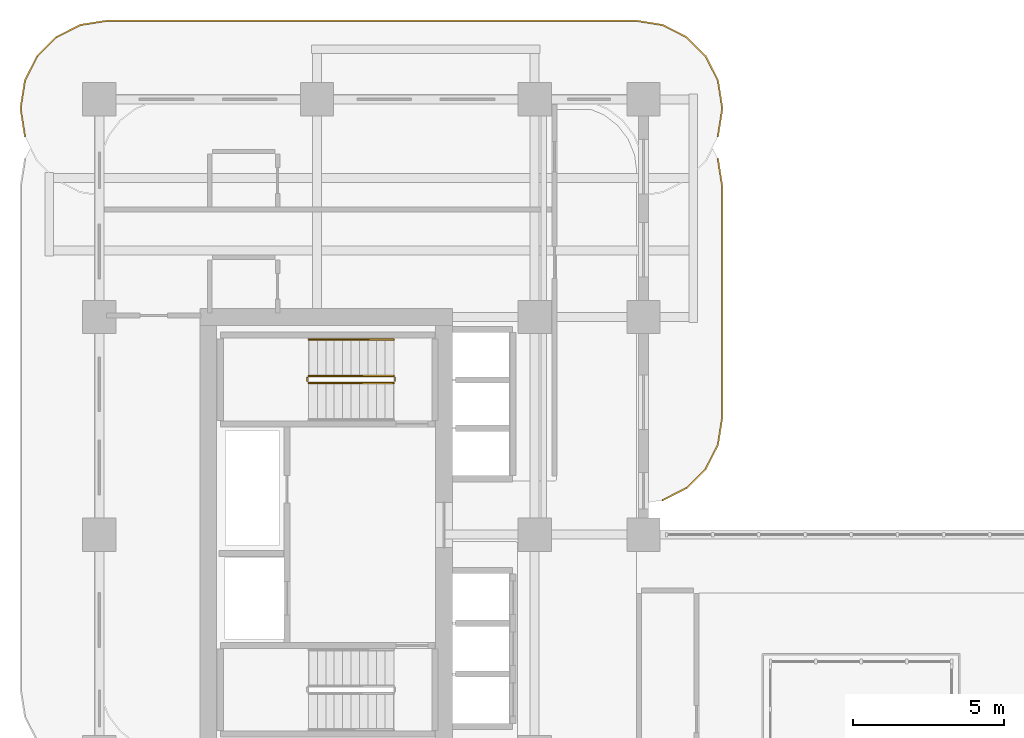
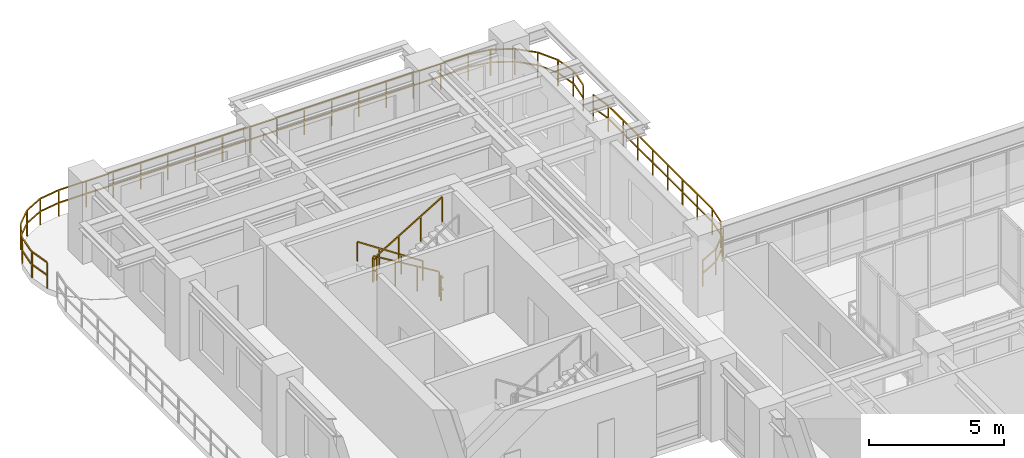
# One storey, part 22 of 22: 7 railings.
"""IFC4 building model written with IfcOpenShell, lengths in metres."""

from ifc_helpers import new_model, si_unit, derived_unit, direction, frame, origin, origin_2d, place, context, subcontext, project, spatial, rectangle, extrude, material, type_object, element, save


model = new_model("IFC4")

# Units and contexts
model_context = context("Model", 3, precision=1e-05, world=origin(), true_north=direction((0.0, 1.0)))
body_context = subcontext(model_context, "Body", "Model", "MODEL_VIEW")
ifc_project = project(units=[si_unit("LENGTHUNIT", "METRE"), si_unit("AREAUNIT", "SQUARE_METRE"), si_unit("VOLUMEUNIT", "CUBIC_METRE"), si_unit("PLANEANGLEUNIT", "RADIAN"), si_unit("MASSUNIT", "GRAM", prefix="KILO"), si_unit("THERMODYNAMICTEMPERATUREUNIT", "KELVIN"), si_unit("POWERUNIT", "WATT"), derived_unit("THERMALTRANSMITTANCEUNIT", [(si_unit("POWERUNIT", "WATT"), 1), (si_unit("AREAUNIT", "SQUARE_METRE"), -1), (si_unit("THERMODYNAMICTEMPERATUREUNIT", "KELVIN"), -1)])], contexts=[model_context])

# Site, building, storey
site_placement = place(None, origin())
site = spatial("IfcSite", under=ifc_project, at=site_placement, CompositionType="ELEMENT")
building_placement = place(site_placement, origin())
building = spatial("IfcBuilding", under=site, at=building_placement, Name="Zahravan Archway Hotel and Residences", CompositionType="ELEMENT")
storey_placement = place(building_placement, frame((0.0, 0.0, 91.60009765625)))
storey = spatial("IfcBuildingStorey", under=building, at=storey_placement, Name="L22", CompositionType="ELEMENT", Elevation=91.60009765625)

# Railings
ifc_material_1 = material(Name="Bronze & Laminated Glass Balustrade", Category="glass")
railing_type_1 = type_object("IfcRailingType", Name="RL-BAL-1200", PredefinedType="BALUSTRADE", material=ifc_material_1)
railing_1_placement = place(storey_placement, frame((-2.46044921875, 45.5693359375, 0.0)))
element("IfcRailing", 1, at=railing_1_placement, inside=storey, type_object=railing_type_1, Name="L22 Balustrade RL-SLB-BAL-L22-NB-1", PredefinedType="BALUSTRADE", context=body_context, shape_type="SweptSolid", body=[
    extrude(rectangle(XDim=0.048095703125, YDim=0.048095703125, at=origin_2d()), frame((0.0, 0.0, 1.17578125), z_axis=(-0.156623399917, 0.987658397726, 0.0), x_axis=(-0.987658397726, -0.156623399917, 0.0)), (0.0, 0.0, 1.0), 0.8916015625),
    extrude(rectangle(XDim=0.048095703125, YDim=0.048095703125, at=origin_2d()), frame((0.0, 0.0, 0.60009765625), z_axis=(-0.156623399917, 0.987658397726, 0.0), x_axis=(-0.987658397726, -0.156623399917, 0.0)), (0.0, 0.0, 1.0), 0.8916015625),
    extrude(rectangle(XDim=0.048095703125, YDim=0.048095703125, at=origin_2d()), frame((-0.1396484375, 0.880615234375, 1.17578125), z_axis=(0.0, 1.0, 0.0), x_axis=(-1.0, 0.0, 0.0)), (0.0, 0.0, 1.0), 0.10009765625),
    extrude(rectangle(XDim=0.048095703125, YDim=0.048095703125, at=origin_2d()), frame((-0.1396484375, 0.880615234375, 0.60009765625), z_axis=(0.0, 1.0, 0.0), x_axis=(-1.0, 0.0, 0.0)), (0.0, 0.0, 1.0), 0.10009765625),
    extrude(rectangle(XDim=0.048095703125, YDim=0.048095703125, at=origin_2d()), frame((-0.1396484375, 0.980712890625, 1.17578125), z_axis=(0.156623399917, 0.987658397726, 0.0), x_axis=(-0.987658397726, 0.156623399917, 0.0)), (0.0, 0.0, 1.0), 0.8916015625),
    extrude(rectangle(XDim=0.048095703125, YDim=0.048095703125, at=origin_2d()), frame((-0.1396484375, 0.980712890625, 0.60009765625), z_axis=(0.156623399917, 0.987658397726, 0.0), x_axis=(-0.987658397726, 0.156623399917, 0.0)), (0.0, 0.0, 1.0), 0.8916015625),
    extrude(rectangle(XDim=0.048095703125, YDim=0.048095703125, at=origin_2d()), frame((0.0, 1.861328125, 1.17578125), z_axis=(0.453991409995, 0.891006060389, 0.0), x_axis=(-0.891006060389, 0.453991409995, 0.0)), (0.0, 0.0, 1.0), 0.8916015625),
    extrude(rectangle(XDim=0.048095703125, YDim=0.048095703125, at=origin_2d()), frame((0.0, 1.861328125, 0.60009765625), z_axis=(0.453991409995, 0.891006060389, 0.0), x_axis=(-0.891006060389, 0.453991409995, 0.0)), (0.0, 0.0, 1.0), 0.8916015625),
    extrude(rectangle(XDim=0.048095703125, YDim=0.048095703125, at=origin_2d()), frame((0.40478515625, 2.65576171875, 1.17578125), z_axis=(0.706969864397, 0.70724367147, 0.0), x_axis=(-0.70724367147, 0.706969864397, 0.0)), (0.0, 0.0, 1.0), 0.8916015625),
    extrude(rectangle(XDim=0.048095703125, YDim=0.048095703125, at=origin_2d()), frame((0.40478515625, 2.65576171875, 0.60009765625), z_axis=(0.706969864397, 0.70724367147, 0.0), x_axis=(-0.70724367147, 0.706969864397, 0.0)), (0.0, 0.0, 1.0), 0.8916015625),
    extrude(rectangle(XDim=0.048095703125, YDim=0.048095703125, at=origin_2d()), frame((1.03515625, 3.286376953125, 1.17578125), z_axis=(0.891062476022, 0.45388067135, 0.0), x_axis=(-0.45388067135, 0.891062476022, 0.0)), (0.0, 0.0, 1.0), 0.891845703125),
    extrude(rectangle(XDim=0.048095703125, YDim=0.048095703125, at=origin_2d()), frame((1.03515625, 3.286376953125, 0.60009765625), z_axis=(0.891062476022, 0.45388067135, 0.0), x_axis=(-0.45388067135, 0.891062476022, 0.0)), (0.0, 0.0, 1.0), 0.891845703125),
    extrude(rectangle(XDim=0.048095703125, YDim=0.048095703125, at=origin_2d()), frame((1.829833984375, 3.691162109375, 1.17578125), z_axis=(0.987700720307, 0.156356282588, 0.0), x_axis=(-0.156356282588, 0.987700720307, 0.0)), (0.0, 0.0, 1.0), 0.8916015625),
    extrude(rectangle(XDim=0.048095703125, YDim=0.048095703125, at=origin_2d()), frame((1.829833984375, 3.691162109375, 0.60009765625), z_axis=(0.987700720307, 0.156356282588, 0.0), x_axis=(-0.156356282588, 0.987700720307, 0.0)), (0.0, 0.0, 1.0), 0.8916015625),
    extrude(rectangle(XDim=0.048095703125, YDim=0.048095703125, at=origin_2d()), frame((2.71044921875, 3.83056640625, 1.17578125), z_axis=(1.0, 0.0, 0.0), x_axis=(0.0, 1.0, 0.0)), (0.0, 0.0, 1.0), 17.5),
    extrude(rectangle(XDim=0.048095703125, YDim=0.048095703125, at=origin_2d()), frame((2.71044921875, 3.83056640625, 0.60009765625), z_axis=(1.0, 0.0, 0.0), x_axis=(0.0, 1.0, 0.0)), (0.0, 0.0, 1.0), 17.5),
    extrude(rectangle(XDim=0.048095703125, YDim=0.048095703125, at=origin_2d()), frame((20.21044921875, 3.83056640625, 1.17578125), z_axis=(0.987700720307, -0.156356282588, 0.0), x_axis=(0.156356282588, 0.987700720307, 0.0)), (0.0, 0.0, 1.0), 0.8916015625),
    extrude(rectangle(XDim=0.048095703125, YDim=0.048095703125, at=origin_2d()), frame((20.21044921875, 3.83056640625, 0.60009765625), z_axis=(0.987700720307, -0.156356282588, 0.0), x_axis=(0.156356282588, 0.987700720307, 0.0)), (0.0, 0.0, 1.0), 0.8916015625),
    extrude(rectangle(XDim=0.048095703125, YDim=0.048095703125, at=origin_2d()), frame((21.091064453125, 3.691162109375, 1.17578125), z_axis=(0.891062476022, -0.45388067135, 0.0), x_axis=(0.45388067135, 0.891062476022, 0.0)), (0.0, 0.0, 1.0), 0.891845703125),
    extrude(rectangle(XDim=0.048095703125, YDim=0.048095703125, at=origin_2d()), frame((21.091064453125, 3.691162109375, 0.60009765625), z_axis=(0.891062476022, -0.45388067135, 0.0), x_axis=(0.45388067135, 0.891062476022, 0.0)), (0.0, 0.0, 1.0), 0.891845703125),
    extrude(rectangle(XDim=0.048095703125, YDim=0.048095703125, at=origin_2d()), frame((21.8857421875, 3.286376953125, 1.17578125), z_axis=(0.706969864397, -0.70724367147, 0.0), x_axis=(0.70724367147, 0.706969864397, 0.0)), (0.0, 0.0, 1.0), 0.8916015625),
    extrude(rectangle(XDim=0.048095703125, YDim=0.048095703125, at=origin_2d()), frame((21.8857421875, 3.286376953125, 0.60009765625), z_axis=(0.706969864397, -0.70724367147, 0.0), x_axis=(0.70724367147, 0.706969864397, 0.0)), (0.0, 0.0, 1.0), 0.8916015625),
    extrude(rectangle(XDim=0.048095703125, YDim=0.048095703125, at=origin_2d()), frame((22.51611328125, 2.65576171875, 1.17578125), z_axis=(0.453991409995, -0.891006060389, 0.0), x_axis=(0.891006060389, 0.453991409995, 0.0)), (0.0, 0.0, 1.0), 0.8916015625),
    extrude(rectangle(XDim=0.048095703125, YDim=0.048095703125, at=origin_2d()), frame((22.51611328125, 2.65576171875, 0.60009765625), z_axis=(0.453991409995, -0.891006060389, 0.0), x_axis=(0.891006060389, 0.453991409995, 0.0)), (0.0, 0.0, 1.0), 0.8916015625),
    extrude(rectangle(XDim=0.048095703125, YDim=0.048095703125, at=origin_2d()), frame((22.9208984375, 1.861328125, 1.17578125), z_axis=(0.156623399917, -0.987658397726, 0.0), x_axis=(0.987658397726, 0.156623399917, 0.0)), (0.0, 0.0, 1.0), 0.8916015625),
    extrude(rectangle(XDim=0.048095703125, YDim=0.048095703125, at=origin_2d()), frame((22.9208984375, 1.861328125, 0.60009765625), z_axis=(0.156623399917, -0.987658397726, 0.0), x_axis=(0.987658397726, 0.156623399917, 0.0)), (0.0, 0.0, 1.0), 0.8916015625),
    extrude(rectangle(XDim=0.048095703125, YDim=0.048095703125, at=origin_2d()), frame((23.060546875, 0.980712890625, 1.17578125), z_axis=(0.0, -1.0, 0.0), x_axis=(1.0, 0.0, 0.0)), (0.0, 0.0, 1.0), 0.10009765625),
    extrude(rectangle(XDim=0.048095703125, YDim=0.048095703125, at=origin_2d()), frame((23.060546875, 0.980712890625, 0.60009765625), z_axis=(0.0, -1.0, 0.0), x_axis=(1.0, 0.0, 0.0)), (0.0, 0.0, 1.0), 0.10009765625),
    extrude(rectangle(XDim=0.048095703125, YDim=0.048095703125, at=origin_2d()), frame((23.060546875, 0.880615234375, 1.17578125), z_axis=(-0.156623399917, -0.987658397726, 0.0), x_axis=(0.987658397726, -0.156623399917, 0.0)), (0.0, 0.0, 1.0), 0.8916015625),
    extrude(rectangle(XDim=0.048095703125, YDim=0.048095703125, at=origin_2d()), frame((23.060546875, 0.880615234375, 0.60009765625), z_axis=(-0.156623399917, -0.987658397726, 0.0), x_axis=(0.987658397726, -0.156623399917, 0.0)), (0.0, 0.0, 1.0), 0.8916015625),
    extrude(rectangle(XDim=0.0419921875, YDim=0.0419921875, at=origin_2d()), origin(), (0.0, 0.0, 1.0), 1.15185546875),
    extrude(rectangle(XDim=0.0419921875, YDim=0.0419921875, at=origin_2d()), frame((-0.1396484375, 0.880615234375, 0.0)), (0.0, 0.0, 1.0), 1.15185546875),
    extrude(rectangle(XDim=0.0419921875, YDim=0.0419921875, at=origin_2d()), frame((0.0, 1.861328125, 0.0)), (0.0, 0.0, 1.0), 1.15185546875),
    extrude(rectangle(XDim=0.0419921875, YDim=0.0419921875, at=origin_2d()), frame((0.40478515625, 2.65576171875, 0.0)), (0.0, 0.0, 1.0), 1.15185546875),
    extrude(rectangle(XDim=0.0419921875, YDim=0.0419921875, at=origin_2d()), frame((1.03515625, 3.286376953125, 0.0)), (0.0, 0.0, 1.0), 1.15185546875),
    extrude(rectangle(XDim=0.0419921875, YDim=0.0419921875, at=origin_2d()), frame((1.829833984375, 3.691162109375, 0.0)), (0.0, 0.0, 1.0), 1.15185546875),
    extrude(rectangle(XDim=0.0419921875, YDim=0.0419921875, at=origin_2d()), frame((2.71044921875, 3.83056640625, 0.0)), (0.0, 0.0, 1.0), 1.15185546875),
    extrude(rectangle(XDim=0.0419921875, YDim=0.0419921875, at=origin_2d()), frame((3.877197265625, 3.83056640625, 0.0)), (0.0, 0.0, 1.0), 1.15185546875),
    extrude(rectangle(XDim=0.0419921875, YDim=0.0419921875, at=origin_2d()), frame((5.043701171875, 3.83056640625, 0.0)), (0.0, 0.0, 1.0), 1.15185546875),
    extrude(rectangle(XDim=0.0419921875, YDim=0.0419921875, at=origin_2d()), frame((6.21044921875, 3.83056640625, 0.0)), (0.0, 0.0, 1.0), 1.15185546875),
    extrude(rectangle(XDim=0.0419921875, YDim=0.0419921875, at=origin_2d()), frame((7.377197265625, 3.83056640625, 0.0)), (0.0, 0.0, 1.0), 1.15185546875),
    extrude(rectangle(XDim=0.0419921875, YDim=0.0419921875, at=origin_2d()), frame((8.543701171875, 3.83056640625, 0.0)), (0.0, 0.0, 1.0), 1.15185546875),
    extrude(rectangle(XDim=0.0419921875, YDim=0.0419921875, at=origin_2d()), frame((9.71044921875, 3.83056640625, 0.0)), (0.0, 0.0, 1.0), 1.15185546875),
    extrude(rectangle(XDim=0.0419921875, YDim=0.0419921875, at=origin_2d()), frame((10.877197265625, 3.83056640625, 0.0)), (0.0, 0.0, 1.0), 1.15185546875),
    extrude(rectangle(XDim=0.0419921875, YDim=0.0419921875, at=origin_2d()), frame((12.043701171875, 3.83056640625, 0.0)), (0.0, 0.0, 1.0), 1.15185546875),
    extrude(rectangle(XDim=0.0419921875, YDim=0.0419921875, at=origin_2d()), frame((13.21044921875, 3.83056640625, 0.0)), (0.0, 0.0, 1.0), 1.15185546875),
    extrude(rectangle(XDim=0.0419921875, YDim=0.0419921875, at=origin_2d()), frame((14.377197265625, 3.83056640625, 0.0)), (0.0, 0.0, 1.0), 1.15185546875),
    extrude(rectangle(XDim=0.0419921875, YDim=0.0419921875, at=origin_2d()), frame((15.543701171875, 3.83056640625, 0.0)), (0.0, 0.0, 1.0), 1.15185546875),
    extrude(rectangle(XDim=0.0419921875, YDim=0.0419921875, at=origin_2d()), frame((16.71044921875, 3.83056640625, 0.0)), (0.0, 0.0, 1.0), 1.15185546875),
    extrude(rectangle(XDim=0.0419921875, YDim=0.0419921875, at=origin_2d()), frame((17.877197265625, 3.83056640625, 0.0)), (0.0, 0.0, 1.0), 1.15185546875),
    extrude(rectangle(XDim=0.0419921875, YDim=0.0419921875, at=origin_2d()), frame((19.043701171875, 3.83056640625, 0.0)), (0.0, 0.0, 1.0), 1.15185546875),
    extrude(rectangle(XDim=0.0419921875, YDim=0.0419921875, at=origin_2d()), frame((20.21044921875, 3.83056640625, 0.0)), (0.0, 0.0, 1.0), 1.15185546875),
    extrude(rectangle(XDim=0.0419921875, YDim=0.0419921875, at=origin_2d()), frame((21.091064453125, 3.691162109375, 0.0)), (0.0, 0.0, 1.0), 1.15185546875),
    extrude(rectangle(XDim=0.0419921875, YDim=0.0419921875, at=origin_2d()), frame((21.8857421875, 3.286376953125, 0.0)), (0.0, 0.0, 1.0), 1.15185546875),
    extrude(rectangle(XDim=0.0419921875, YDim=0.0419921875, at=origin_2d()), frame((22.51611328125, 2.65576171875, 0.0)), (0.0, 0.0, 1.0), 1.15185546875),
    extrude(rectangle(XDim=0.0419921875, YDim=0.0419921875, at=origin_2d()), frame((22.9208984375, 1.861328125, 0.0)), (0.0, 0.0, 1.0), 1.15185546875),
    extrude(rectangle(XDim=0.0419921875, YDim=0.0419921875, at=origin_2d()), frame((23.060546875, 0.980712890625, 0.0)), (0.0, 0.0, 1.0), 1.15185546875),
    extrude(rectangle(XDim=0.0419921875, YDim=0.0419921875, at=origin_2d()), frame((22.9208984375, 0.0, 0.0)), (0.0, 0.0, 1.0), 1.15185546875),
])
railing_2_placement = place(storey_placement, frame((20.46044921875, 44.830810546875, 0.0)))
element("IfcRailing", 2, at=railing_2_placement, inside=storey, type_object=railing_type_1, Name="L22 Balustrade RL-SLB-BAL-L22-EB-1", PredefinedType="BALUSTRADE", context=body_context, shape_type="SweptSolid", body=[
    extrude(rectangle(XDim=0.048095703125, YDim=0.048095703125, at=origin_2d()), frame((0.0, 0.0, 1.17578125), z_axis=(0.156581054338, -0.98766511198, 0.0), x_axis=(0.98766511198, 0.156581054338, 0.0)), (0.0, 0.0, 1.0), 0.891845703125),
    extrude(rectangle(XDim=0.048095703125, YDim=0.048095703125, at=origin_2d()), frame((0.0, 0.0, 0.60009765625), z_axis=(0.156581054338, -0.98766511198, 0.0), x_axis=(0.98766511198, 0.156581054338, 0.0)), (0.0, 0.0, 1.0), 0.891845703125),
    extrude(rectangle(XDim=0.048095703125, YDim=0.048095703125, at=origin_2d()), frame((0.1396484375, -0.880859375, 1.17578125), z_axis=(0.0, -1.0, 0.0), x_axis=(1.0, 0.0, 0.0)), (0.0, 0.0, 1.0), 7.699951171875),
    extrude(rectangle(XDim=0.048095703125, YDim=0.048095703125, at=origin_2d()), frame((0.1396484375, -0.880859375, 0.60009765625), z_axis=(0.0, -1.0, 0.0), x_axis=(1.0, 0.0, 0.0)), (0.0, 0.0, 1.0), 7.699951171875),
    extrude(rectangle(XDim=0.048095703125, YDim=0.048095703125, at=origin_2d()), frame((0.1396484375, -8.580810546875, 1.17578125), z_axis=(-0.156623399917, -0.987658397726, 0.0), x_axis=(0.987658397726, -0.156623399917, 0.0)), (0.0, 0.0, 1.0), 0.8916015625),
    extrude(rectangle(XDim=0.048095703125, YDim=0.048095703125, at=origin_2d()), frame((0.1396484375, -8.580810546875, 0.60009765625), z_axis=(-0.156623399917, -0.987658397726, 0.0), x_axis=(0.987658397726, -0.156623399917, 0.0)), (0.0, 0.0, 1.0), 0.8916015625),
    extrude(rectangle(XDim=0.048095703125, YDim=0.048095703125, at=origin_2d()), frame((0.0, -9.46142578125, 1.17578125), z_axis=(-0.45388067135, -0.891062476022, 0.0), x_axis=(0.891062476022, -0.45388067135, 0.0)), (0.0, 0.0, 1.0), 0.891845703125),
    extrude(rectangle(XDim=0.048095703125, YDim=0.048095703125, at=origin_2d()), frame((0.0, -9.46142578125, 0.60009765625), z_axis=(-0.45388067135, -0.891062476022, 0.0), x_axis=(0.891062476022, -0.45388067135, 0.0)), (0.0, 0.0, 1.0), 0.891845703125),
    extrude(rectangle(XDim=0.048095703125, YDim=0.048095703125, at=origin_2d()), frame((-0.40478515625, -10.256103515625, 1.17578125), z_axis=(-0.707106781187, -0.707106781187, 0.0), x_axis=(0.707106781187, -0.707106781187, 0.0)), (0.0, 0.0, 1.0), 0.891357421875),
    extrude(rectangle(XDim=0.048095703125, YDim=0.048095703125, at=origin_2d()), frame((-0.40478515625, -10.256103515625, 0.60009765625), z_axis=(-0.707106781187, -0.707106781187, 0.0), x_axis=(0.707106781187, -0.707106781187, 0.0)), (0.0, 0.0, 1.0), 0.891357421875),
    extrude(rectangle(XDim=0.048095703125, YDim=0.048095703125, at=origin_2d()), frame((-1.03515625, -10.886474609375, 1.17578125), z_axis=(-0.891062476022, -0.45388067135, 0.0), x_axis=(0.45388067135, -0.891062476022, 0.0)), (0.0, 0.0, 1.0), 0.891845703125),
    extrude(rectangle(XDim=0.048095703125, YDim=0.048095703125, at=origin_2d()), frame((-1.03515625, -10.886474609375, 0.60009765625), z_axis=(-0.891062476022, -0.45388067135, 0.0), x_axis=(0.45388067135, -0.891062476022, 0.0)), (0.0, 0.0, 1.0), 0.891845703125),
    extrude(rectangle(XDim=0.0419921875, YDim=0.0419921875, at=origin_2d()), origin(), (0.0, 0.0, 1.0), 1.15185546875),
    extrude(rectangle(XDim=0.0419921875, YDim=0.0419921875, at=origin_2d()), frame((0.1396484375, -0.880859375, 0.0)), (0.0, 0.0, 1.0), 1.15185546875),
    extrude(rectangle(XDim=0.0419921875, YDim=0.0419921875, at=origin_2d()), frame((0.1396484375, -1.98095703125, 0.0)), (0.0, 0.0, 1.0), 1.15185546875),
    extrude(rectangle(XDim=0.0419921875, YDim=0.0419921875, at=origin_2d()), frame((0.1396484375, -3.080810546875, 0.0)), (0.0, 0.0, 1.0), 1.15185546875),
    extrude(rectangle(XDim=0.0419921875, YDim=0.0419921875, at=origin_2d()), frame((0.1396484375, -4.180908203125, 0.0)), (0.0, 0.0, 1.0), 1.15185546875),
    extrude(rectangle(XDim=0.0419921875, YDim=0.0419921875, at=origin_2d()), frame((0.1396484375, -5.28076171875, 0.0)), (0.0, 0.0, 1.0), 1.15185546875),
    extrude(rectangle(XDim=0.0419921875, YDim=0.0419921875, at=origin_2d()), frame((0.1396484375, -6.380859375, 0.0)), (0.0, 0.0, 1.0), 1.15185546875),
    extrude(rectangle(XDim=0.0419921875, YDim=0.0419921875, at=origin_2d()), frame((0.1396484375, -7.480712890625, 0.0)), (0.0, 0.0, 1.0), 1.15185546875),
    extrude(rectangle(XDim=0.0419921875, YDim=0.0419921875, at=origin_2d()), frame((0.1396484375, -8.580810546875, 0.0)), (0.0, 0.0, 1.0), 1.15185546875),
    extrude(rectangle(XDim=0.0419921875, YDim=0.0419921875, at=origin_2d()), frame((0.0, -9.46142578125, 0.0)), (0.0, 0.0, 1.0), 1.15185546875),
    extrude(rectangle(XDim=0.0419921875, YDim=0.0419921875, at=origin_2d()), frame((-0.40478515625, -10.256103515625, 0.0)), (0.0, 0.0, 1.0), 1.15185546875),
    extrude(rectangle(XDim=0.0419921875, YDim=0.0419921875, at=origin_2d()), frame((-1.03515625, -10.886474609375, 0.0)), (0.0, 0.0, 1.0), 1.15185546875),
    extrude(rectangle(XDim=0.0419921875, YDim=0.0419921875, at=origin_2d()), frame((-1.829833984375, -11.291259765625, 0.0)), (0.0, 0.0, 1.0), 1.15185546875),
])
ifc_material_2 = material(Name="Painted Tubular Steel", Category="steel")
railing_type_2 = type_object("IfcRailingType", Name="RL-STG-1150", PredefinedType="GUARDRAIL", material=ifc_material_2)
railing_3_placement = place(storey_placement, frame((9.72998046875, 37.64990234375, 0.16796875)))
element("IfcRailing", 3, at=railing_3_placement, inside=storey, type_object=railing_type_2, Name="L22 ST-B2 stair guard 1", PredefinedType="GUARDRAIL", context=body_context, shape_type="SweptSolid", body=[
    extrude(rectangle(XDim=0.048095703125, YDim=0.048095703125, at=origin_2d()), frame((0.0, 0.0, 1.1259765625), z_axis=(-0.857242210791, 0.0, 0.514913383045), x_axis=(0.0, -1.0, 0.0)), (0.0, 0.0, 1.0), 3.266357421875),
    extrude(rectangle(XDim=0.0419921875, YDim=0.0419921875, at=origin_2d()), origin(), (0.0, 0.0, 1.0), 1.101806640625),
    extrude(rectangle(XDim=0.0419921875, YDim=0.0419921875, at=origin_2d()), frame((-0.933349609375, 0.0, 0.560546875)), (0.0, 0.0, 1.0), 1.101806640625),
    extrude(rectangle(XDim=0.0419921875, YDim=0.0419921875, at=origin_2d()), frame((-1.86669921875, 0.0, 1.121337890625)), (0.0, 0.0, 1.0), 1.101806640625),
    extrude(rectangle(XDim=0.0419921875, YDim=0.0419921875, at=origin_2d()), frame((-2.800048828125, 0.0, 1.681884765625)), (0.0, 0.0, 1.0), 1.101806640625),
])
railing_4_placement = place(storey_placement, frame((6.8798828125, 37.60009765625, 1.849853515625)))
element("IfcRailing", 4, at=railing_4_placement, inside=storey, type_object=railing_type_2, Name="L22 ST-B2 stair guard 2", PredefinedType="GUARDRAIL", context=body_context, shape_type="SweptSolid", body=[
    extrude(rectangle(XDim=0.048095703125, YDim=0.048095703125, at=origin_2d()), frame((0.0, 0.0, 1.1259765625), z_axis=(0.0, -1.0, 0.0), x_axis=(1.0, 0.0, 0.0)), (0.0, 0.0, 1.0), 0.14013671875),
    extrude(rectangle(XDim=0.048095703125, YDim=0.048095703125, at=origin_2d()), frame((0.0, 0.0, 0.574951171875), z_axis=(0.0, -1.0, 0.0), x_axis=(1.0, 0.0, 0.0)), (0.0, 0.0, 1.0), 0.14013671875),
    extrude(rectangle(XDim=0.0419921875, YDim=0.0419921875, at=origin_2d()), origin(), (0.0, 0.0, 1.0), 1.101806640625),
])
railing_5_placement = place(storey_placement, frame((6.929931640625, 37.409912109375, 2.01806640625)))
element("IfcRailing", 5, at=railing_5_placement, inside=storey, type_object=railing_type_2, Name="L22 ST-B2 stair guard 3", PredefinedType="GUARDRAIL", context=body_context, shape_type="SweptSolid", body=[
    extrude(rectangle(XDim=0.048095703125, YDim=0.048095703125, at=origin_2d()), frame((0.0, 0.0, 1.1259765625), z_axis=(0.857242210791, 0.0, 0.514913383045), x_axis=(0.0, 1.0, 0.0)), (0.0, 0.0, 1.0), 3.266357421875),
    extrude(rectangle(XDim=0.0419921875, YDim=0.0419921875, at=origin_2d()), origin(), (0.0, 0.0, 1.0), 1.101806640625),
    extrude(rectangle(XDim=0.0419921875, YDim=0.0419921875, at=origin_2d()), frame((0.933349609375, 0.0, 0.560546875)), (0.0, 0.0, 1.0), 1.101806640625),
    extrude(rectangle(XDim=0.0419921875, YDim=0.0419921875, at=origin_2d()), frame((1.86669921875, 0.0, 1.121337890625)), (0.0, 0.0, 1.0), 1.101806640625),
    extrude(rectangle(XDim=0.0419921875, YDim=0.0419921875, at=origin_2d()), frame((2.800048828125, 0.0, 1.681884765625)), (0.0, 0.0, 1.0), 1.101806640625),
])
railing_6_placement = place(storey_placement, frame((9.780029296875, 37.60009765625, 0.0)))
element("IfcRailing", 6, at=railing_6_placement, inside=storey, type_object=railing_type_2, Name="L22 ST-B2 stair guard 4", PredefinedType="GUARDRAIL", context=body_context, shape_type="SweptSolid", body=[
    extrude(rectangle(XDim=0.048095703125, YDim=0.048095703125, at=origin_2d()), frame((0.0, 0.0, 1.1259765625), z_axis=(0.0, -1.0, 0.0), x_axis=(1.0, 0.0, 0.0)), (0.0, 0.0, 1.0), 0.14013671875),
    extrude(rectangle(XDim=0.048095703125, YDim=0.048095703125, at=origin_2d()), frame((0.0, 0.0, 0.574951171875), z_axis=(0.0, -1.0, 0.0), x_axis=(1.0, 0.0, 0.0)), (0.0, 0.0, 1.0), 0.14013671875),
    extrude(rectangle(XDim=0.0419921875, YDim=0.0419921875, at=origin_2d()), origin(), (0.0, 0.0, 1.0), 1.101806640625),
])
ifc_material_3 = material(Name="Brushed Stainless Steel", Category="steel")
railing_type_3 = type_object("IfcRailingType", Name="RL-STH-900", PredefinedType="HANDRAIL", material=ifc_material_3)
railing_7_placement = place(storey_placement, frame((9.72998046875, 38.85009765625, 0.16796875)))
element("IfcRailing", 7, at=railing_7_placement, inside=storey, type_object=railing_type_3, Name="L22 ST-B2 stair handrail 1", PredefinedType="HANDRAIL", context=body_context, shape_type="SweptSolid", body=[
    extrude(rectangle(XDim=0.048095703125, YDim=0.048095703125, at=origin_2d()), frame((0.0, 0.0, 0.8759765625), z_axis=(-0.834326358476, 0.0, 0.551270829586), x_axis=(0.0, -1.0, 0.0)), (0.0, 0.0, 1.0), 3.35595703125),
    extrude(rectangle(XDim=0.0419921875, YDim=0.0419921875, at=origin_2d()), origin(), (0.0, 0.0, 1.0), 0.851806640625),
    extrude(rectangle(XDim=0.0419921875, YDim=0.0419921875, at=origin_2d()), frame((-0.933349609375, 0.0, 0.61669921875)), (0.0, 0.0, 1.0), 0.851806640625),
    extrude(rectangle(XDim=0.0419921875, YDim=0.0419921875, at=origin_2d()), frame((-1.86669921875, 0.0, 1.2333984375)), (0.0, 0.0, 1.0), 0.851806640625),
    extrude(rectangle(XDim=0.0419921875, YDim=0.0419921875, at=origin_2d()), frame((-2.800048828125, 0.0, 1.85009765625)), (0.0, 0.0, 1.0), 0.851806640625),
])

save(model, "model.ifc")
